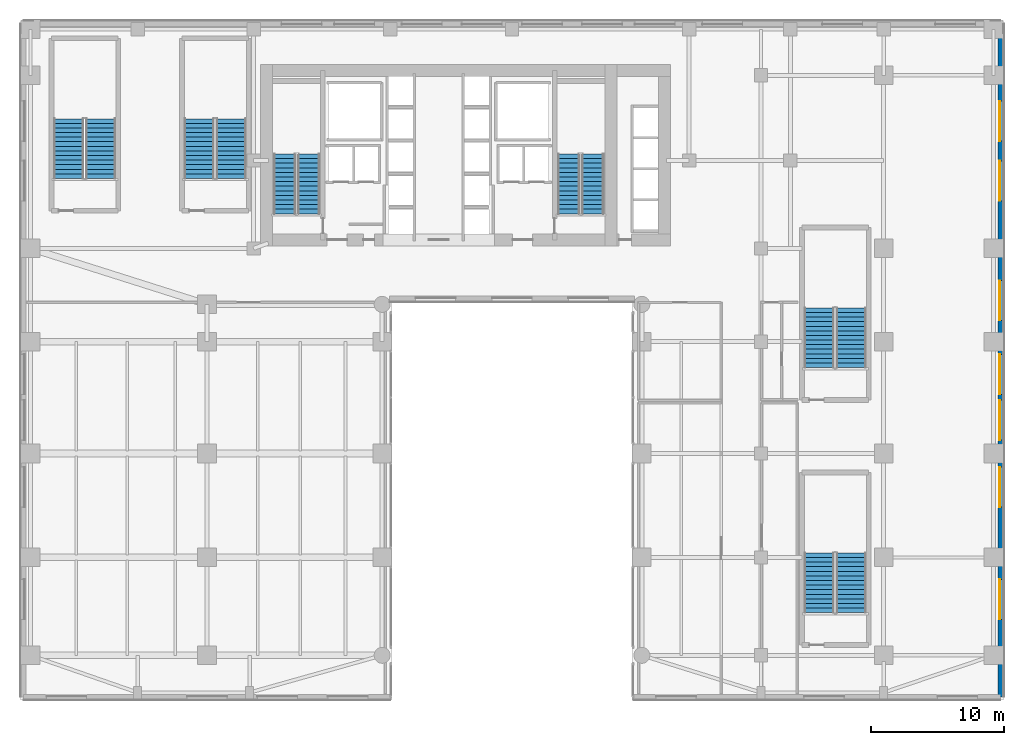
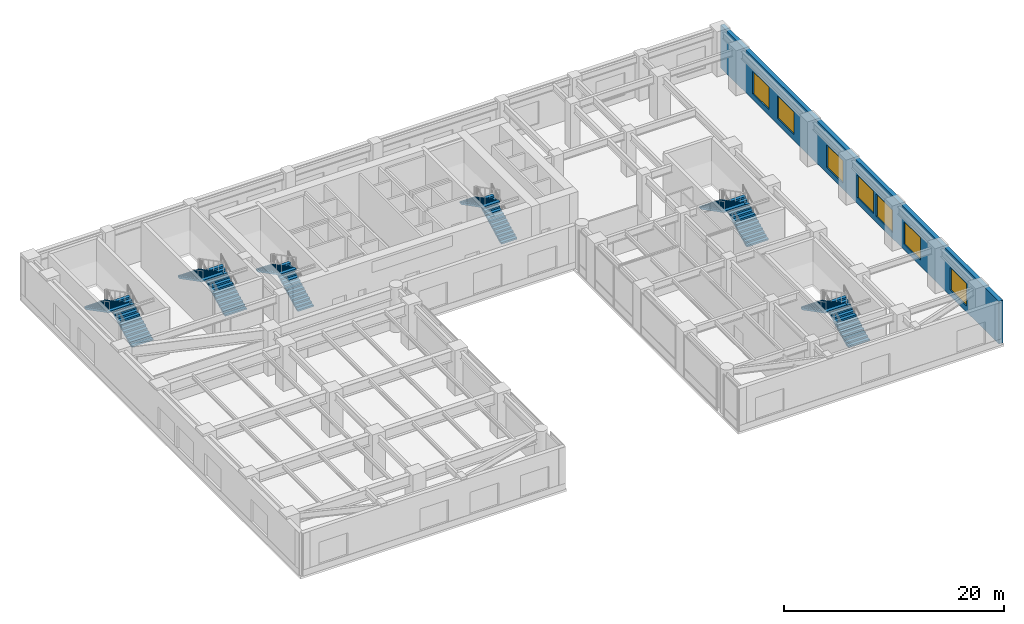
# One storey, part 16 of 24: 12 stair flights, 7 windows, 1 wall, 7 openings, 6 elements without a shape of their own.
"""IFC4 building model written with IfcOpenShell, lengths in metres."""

from ifc_helpers import new_model, si_unit, direction, frame, frame_2d, origin, place, context, subcontext, project, spatial, polyline, rectangle, outline, extrude, source, transform, mapped, material, layer, layer_set, type_object, type_shapes, element, fill, aggregate, save


model = new_model("IFC4")

# Units and contexts
model_context = context("Model", 3, precision=1e-05, world=origin(), true_north=direction((0.0, 1.0)))
body_context = subcontext(model_context, "Body", "Model", "MODEL_VIEW")
ifc_project = project(units=[si_unit("LENGTHUNIT", "METRE"), si_unit("AREAUNIT", "SQUARE_METRE"), si_unit("VOLUMEUNIT", "CUBIC_METRE"), si_unit("PLANEANGLEUNIT", "RADIAN"), si_unit("MASSUNIT", "GRAM", prefix="KILO")], contexts=[model_context])

# Site, building, storey
site_placement = place(None, origin())
site = spatial("IfcSite", under=ifc_project, at=site_placement, CompositionType="ELEMENT")
building_placement = place(site_placement, origin())
building = spatial("IfcBuilding", under=site, at=building_placement, Name="Tolvann Quenvar Hotel", CompositionType="ELEMENT")
storey_placement = place(building_placement, frame((0.0, 0.0, 6.0)))
storey = spatial("IfcBuildingStorey", under=building, at=storey_placement, Name="L01", CompositionType="ELEMENT", Elevation=6.0)

# Wall, openings, windows
ifc_material_1 = material(Name="Kiln-fired red and buff architectural clay brickwork and terracotta masonry", Category="masonry")
ifc_layer = layer(ifc_material_1, 0.419921875)
ifc_layer_set = layer_set([ifc_layer], Name="Kiln-fired red and buff architectural clay brickwork and terracotta masonry")
wall_type = type_object("IfcWallType", Name="WALL_EXT_POD_420", PredefinedType="SOLIDWALL", material=ifc_layer_set)
wall_placement = place(storey_placement, frame((65.18994140625, -2.2900390625, 0.0), z_axis=(0.0, 0.0, 1.0), x_axis=(0.0, 1.0, 0.0)))
wall = element("IfcWall", 1, at=wall_placement, inside=storey, type_object=wall_type, Name="Exterior Chicago Brick Wall L01-E05", PredefinedType="SOLIDWALL", context=body_context, shape_type="SweptSolid", body=[
    extrude(rectangle(XDim=50.580078125, YDim=0.419921875, at=frame_2d((25.2900390625, 0.0))), origin(), (0.0, 0.0, 1.0), 4.739990234375),
])
opening_1_placement = place(wall_placement, frame((5.833984375, 0.0, 0.64990234375)))
opening_1 = element("IfcOpeningElement", 2, at=opening_1_placement, cuts=wall, Name="Opening W-05", PredefinedType="OPENING", context=body_context, shape_type="SweptSolid", body=[
    extrude(rectangle(XDim=3.0, YDim=2.5, at=frame_2d((1.5, 1.25))), frame((0.0, 0.219970703125, 0.0), z_axis=(0.0, -1.0, 0.0), x_axis=(1.0, 0.0, 0.0)), (0.0, 0.0, 1.0), 0.43994140625),
])
opening_2_placement = place(wall_placement, frame((14.261962890625, 0.0, 0.64990234375)))
opening_2 = element("IfcOpeningElement", 3, at=opening_2_placement, cuts=wall, Name="Opening W-05", PredefinedType="OPENING", context=body_context, shape_type="SweptSolid", body=[
    extrude(rectangle(XDim=3.0, YDim=2.5, at=frame_2d((1.5, 1.25))), frame((0.0, 0.219970703125, 0.0), z_axis=(0.0, -1.0, 0.0), x_axis=(1.0, 0.0, 0.0)), (0.0, 0.0, 1.0), 0.43994140625),
])
opening_3_placement = place(wall_placement, frame((19.301025390625, 0.0, 0.64990234375)))
opening_3 = element("IfcOpeningElement", 4, at=opening_3_placement, cuts=wall, Name="Opening W-05", PredefinedType="OPENING", context=body_context, shape_type="SweptSolid", body=[
    extrude(rectangle(XDim=3.0, YDim=2.5, at=frame_2d((1.5, 1.25))), frame((0.0, 0.219970703125, 0.0), z_axis=(0.0, -1.0, 0.0), x_axis=(1.0, 0.0, 0.0)), (0.0, 0.0, 1.0), 0.43994140625),
])
opening_4_placement = place(wall_placement, frame((22.739990234375, 0.0, 0.64990234375)))
opening_4 = element("IfcOpeningElement", 5, at=opening_4_placement, cuts=wall, Name="Opening W-05", PredefinedType="OPENING", context=body_context, shape_type="SweptSolid", body=[
    extrude(rectangle(XDim=3.0, YDim=2.5, at=frame_2d((1.5, 1.25))), frame((0.0, 0.219970703125, 0.0), z_axis=(0.0, -1.0, 0.0), x_axis=(1.0, 0.0, 0.0)), (0.0, 0.0, 1.0), 0.43994140625),
])
opening_5_placement = place(wall_placement, frame((28.279052734375, 0.0, 0.64990234375)))
opening_5 = element("IfcOpeningElement", 6, at=opening_5_placement, cuts=wall, Name="Opening W-05", PredefinedType="OPENING", context=body_context, shape_type="SweptSolid", body=[
    extrude(rectangle(XDim=3.0, YDim=2.5, at=frame_2d((1.5, 1.25))), frame((0.0, 0.219970703125, 0.0), z_axis=(0.0, -1.0, 0.0), x_axis=(1.0, 0.0, 0.0)), (0.0, 0.0, 1.0), 0.43994140625),
])
opening_6_placement = place(wall_placement, frame((37.257080078125, 0.0, 0.64990234375)))
opening_6 = element("IfcOpeningElement", 7, at=opening_6_placement, cuts=wall, Name="Opening W-05", PredefinedType="OPENING", context=body_context, shape_type="SweptSolid", body=[
    extrude(rectangle(XDim=3.0, YDim=2.5, at=frame_2d((1.5, 1.25))), frame((0.0, 0.219970703125, 0.0), z_axis=(0.0, -1.0, 0.0), x_axis=(1.0, 0.0, 0.0)), (0.0, 0.0, 1.0), 0.43994140625),
])
opening_7_placement = place(wall_placement, frame((41.74609375, 0.0, 0.64990234375)))
opening_7 = element("IfcOpeningElement", 8, at=opening_7_placement, cuts=wall, Name="Opening W-05", PredefinedType="OPENING", context=body_context, shape_type="SweptSolid", body=[
    extrude(rectangle(XDim=3.0, YDim=2.5, at=frame_2d((1.5, 1.25))), frame((0.0, 0.219970703125, 0.0), z_axis=(0.0, -1.0, 0.0), x_axis=(1.0, 0.0, 0.0)), (0.0, 0.0, 1.0), 0.43994140625),
])
ifc_material_2 = material(Name="Thermally broken bronze-anodised aluminium frame with double low-E glazing", Category="aluminium")
window_type = type_object("IfcWindowType", Name="WIN_POD_3000x2600", PartitioningType="TRIPLE_PANEL_HORIZONTAL", PredefinedType="WINDOW", material=ifc_material_2)
shared_shape = source(origin(), body_context, "Body", "SweptSolid", [
    extrude(rectangle(XDim=3.0, YDim=2.5, at=frame_2d((1.5, 1.25))), frame((0.0, 0.090087890625, 0.0), z_axis=(0.0, -1.0, 0.0), x_axis=(1.0, 0.0, 0.0)), (0.0, 0.0, 1.0), 0.06005859375),
])
type_shapes(window_type, [shared_shape])
window_1_placement = place(opening_1_placement, origin())
window_1 = element("IfcWindow", 9, at=window_1_placement, inside=storey, type_object=window_type, Name="Chicago Window W-05 (EW-L01-E05-W01)", OverallHeight=2.5, OverallWidth=3.0, PartitioningType="TRIPLE_PANEL_HORIZONTAL", PredefinedType="WINDOW", context=body_context, shape_type="MappedRepresentation", body=[
    mapped(shared_shape, transform((0.0, 0.0, 0.0), x_axis=(1.0, 0.0, 0.0), y_axis=(0.0, 1.0, 0.0), z_axis=(0.0, 0.0, 1.0), scale=1.0)),
])
fill(opening_1, window_1)
window_2_placement = place(opening_2_placement, origin())
window_2 = element("IfcWindow", 10, at=window_2_placement, inside=storey, type_object=window_type, Name="Chicago Window W-05 (EW-L01-E05-W02)", OverallHeight=2.5, OverallWidth=3.0, PartitioningType="TRIPLE_PANEL_HORIZONTAL", PredefinedType="WINDOW", context=body_context, shape_type="MappedRepresentation", body=[
    mapped(shared_shape, transform((0.0, 0.0, 0.0), x_axis=(1.0, 0.0, 0.0), y_axis=(0.0, 1.0, 0.0), z_axis=(0.0, 0.0, 1.0), scale=1.0)),
])
fill(opening_2, window_2)
window_3_placement = place(opening_3_placement, origin())
window_3 = element("IfcWindow", 11, at=window_3_placement, inside=storey, type_object=window_type, Name="Chicago Window W-05 (EW-L01-E05-W03)", OverallHeight=2.5, OverallWidth=3.0, PartitioningType="TRIPLE_PANEL_HORIZONTAL", PredefinedType="WINDOW", context=body_context, shape_type="MappedRepresentation", body=[
    mapped(shared_shape, transform((0.0, 0.0, 0.0), x_axis=(1.0, 0.0, 0.0), y_axis=(0.0, 1.0, 0.0), z_axis=(0.0, 0.0, 1.0), scale=1.0)),
])
fill(opening_3, window_3)
window_4_placement = place(opening_4_placement, origin())
window_4 = element("IfcWindow", 12, at=window_4_placement, inside=storey, type_object=window_type, Name="Chicago Window W-05 (EW-L01-E05-W04)", OverallHeight=2.5, OverallWidth=3.0, PartitioningType="TRIPLE_PANEL_HORIZONTAL", PredefinedType="WINDOW", context=body_context, shape_type="MappedRepresentation", body=[
    mapped(shared_shape, transform((0.0, 0.0, 0.0), x_axis=(1.0, 0.0, 0.0), y_axis=(0.0, 1.0, 0.0), z_axis=(0.0, 0.0, 1.0), scale=1.0)),
])
fill(opening_4, window_4)
window_5_placement = place(opening_5_placement, origin())
window_5 = element("IfcWindow", 13, at=window_5_placement, inside=storey, type_object=window_type, Name="Chicago Window W-05 (EW-L01-E05-W05)", OverallHeight=2.5, OverallWidth=3.0, PartitioningType="TRIPLE_PANEL_HORIZONTAL", PredefinedType="WINDOW", context=body_context, shape_type="MappedRepresentation", body=[
    mapped(shared_shape, transform((0.0, 0.0, 0.0), x_axis=(1.0, 0.0, 0.0), y_axis=(0.0, 1.0, 0.0), z_axis=(0.0, 0.0, 1.0), scale=1.0)),
])
fill(opening_5, window_5)
window_6_placement = place(opening_6_placement, origin())
window_6 = element("IfcWindow", 14, at=window_6_placement, inside=storey, type_object=window_type, Name="Chicago Window W-05 (EW-L01-E05-W06)", OverallHeight=2.5, OverallWidth=3.0, PartitioningType="TRIPLE_PANEL_HORIZONTAL", PredefinedType="WINDOW", context=body_context, shape_type="MappedRepresentation", body=[
    mapped(shared_shape, transform((0.0, 0.0, 0.0), x_axis=(1.0, 0.0, 0.0), y_axis=(0.0, 1.0, 0.0), z_axis=(0.0, 0.0, 1.0), scale=1.0)),
])
fill(opening_6, window_6)
window_7_placement = place(opening_7_placement, origin())
window_7 = element("IfcWindow", 15, at=window_7_placement, inside=storey, type_object=window_type, Name="Chicago Window W-05 (EW-L01-E05-W07)", OverallHeight=2.5, OverallWidth=3.0, PartitioningType="TRIPLE_PANEL_HORIZONTAL", PredefinedType="WINDOW", context=body_context, shape_type="MappedRepresentation", body=[
    mapped(shared_shape, transform((0.0, 0.0, 0.0), x_axis=(1.0, 0.0, 0.0), y_axis=(0.0, 1.0, 0.0), z_axis=(0.0, 0.0, 1.0), scale=1.0)),
])
fill(opening_7, window_7)

# Stair, stair flights
ifc_material_3 = material(Name="Concrete N40 (40 MPa)", Category="concrete")
stair_type = type_object("IfcStairType", Name="STAIR", PredefinedType="HALF_TURN_STAIR", material=ifc_material_3)
stair_1_placement = place(storey_placement, origin())
stair_1 = element("IfcStair", 16, at=stair_1_placement, inside=storey, type_object=stair_type, Name="L01 ST-C1", PredefinedType="HALF_TURN_STAIR")
stair_flight_type = type_object("IfcStairFlightType", Name="STAIR_FLIGHT", PredefinedType="STRAIGHT", material=ifc_material_3)
stair_flight_1_placement = place(storey_placement, frame((13.22509765625, 34.0, 0.0), z_axis=(0.0, 0.0, 1.0), x_axis=(0.0, 1.0, 0.0)))
stair_flight_1 = element("IfcStairFlight", 17, at=stair_flight_1_placement, type_object=stair_flight_type, Name="ST-C1 flight 1", NumberOfRisers=14, NumberOfTreads=13, PredefinedType="STRAIGHT", RiserHeight=0.178571429, TreadLength=0.345, context=body_context, shape_type="SweptSolid", body=[
    extrude(outline(polyline([(0.0, 0.0), (0.0, 0.178466796875), (0.344970703125, 0.178466796875), (0.344970703125, 0.357177734375), (0.68994140625, 0.357177734375), (0.68994140625, 0.53564453125), (1.034912109375, 0.53564453125), (1.034912109375, 0.71435546875), (1.3798828125, 0.71435546875), (1.3798828125, 0.892822265625), (1.72509765625, 0.892822265625), (1.72509765625, 1.071533203125), (2.070068359375, 1.071533203125), (2.070068359375, 1.25), (2.4150390625, 1.25), (2.4150390625, 1.428466796875), (2.760009765625, 1.428466796875), (2.760009765625, 1.607177734375), (3.10498046875, 1.607177734375), (3.10498046875, 1.78564453125), (3.449951171875, 1.78564453125), (3.449951171875, 1.96435546875), (3.794921875, 1.96435546875), (3.794921875, 2.142822265625), (4.139892578125, 2.142822265625), (4.139892578125, 2.321533203125), (4.485107421875, 2.321533203125), (4.485107421875, 2.5), (4.485107421875, 2.152587890625), (0.326171875, 0.0), (0.0, 0.0)])), frame((0.0, 0.824951171875, 0.0), z_axis=(0.0, -1.0, 0.0), x_axis=(1.0, 0.0, 0.0)), (0.0, 0.0, 1.0), 1.64990234375),
])
stair_flight_2_placement = place(storey_placement, frame((11.425048828125, 38.485107421875, 2.5), z_axis=(0.0, 0.0, 1.0), x_axis=(0.0, -1.0, 0.0)))
stair_flight_2 = element("IfcStairFlight", 18, at=stair_flight_2_placement, type_object=stair_flight_type, Name="ST-C1 flight 2", NumberOfRisers=14, NumberOfTreads=13, PredefinedType="STRAIGHT", RiserHeight=0.178571429, TreadLength=0.345, context=body_context, shape_type="SweptSolid", body=[
    extrude(outline(polyline([(0.0, 0.0), (0.0, 0.178466796875), (0.344970703125, 0.178466796875), (0.344970703125, 0.357177734375), (0.68994140625, 0.357177734375), (0.68994140625, 0.53564453125), (1.034912109375, 0.53564453125), (1.034912109375, 0.71435546875), (1.3798828125, 0.71435546875), (1.3798828125, 0.892822265625), (1.72509765625, 0.892822265625), (1.72509765625, 1.071533203125), (2.070068359375, 1.071533203125), (2.070068359375, 1.25), (2.4150390625, 1.25), (2.4150390625, 1.428466796875), (2.760009765625, 1.428466796875), (2.760009765625, 1.607177734375), (3.10498046875, 1.607177734375), (3.10498046875, 1.78564453125), (3.449951171875, 1.78564453125), (3.449951171875, 1.96435546875), (3.794921875, 1.96435546875), (3.794921875, 2.142822265625), (4.139892578125, 2.142822265625), (4.139892578125, 2.321533203125), (4.485107421875, 2.321533203125), (4.485107421875, 2.5), (4.485107421875, 2.152587890625), (0.326171875, 0.0), (0.0, 0.0)])), frame((0.0, 0.824951171875, 0.0), z_axis=(0.0, -1.0, 0.0), x_axis=(1.0, 0.0, 0.0)), (0.0, 0.0, 1.0), 1.64990234375),
])
aggregate(stair_1, [stair_flight_1, stair_flight_2])

stair_2_placement = place(storey_placement, origin())
stair_2 = element("IfcStair", 19, at=stair_2_placement, inside=storey, type_object=stair_type, Name="L01 ST-C2", PredefinedType="HALF_TURN_STAIR")
stair_flight_3_placement = place(storey_placement, frame((34.574951171875, 34.0, 0.0), z_axis=(0.0, 0.0, 1.0), x_axis=(0.0, 1.0, 0.0)))
stair_flight_3 = element("IfcStairFlight", 20, at=stair_flight_3_placement, type_object=stair_flight_type, Name="ST-C2 flight 1", NumberOfRisers=14, NumberOfTreads=13, PredefinedType="STRAIGHT", RiserHeight=0.178571429, TreadLength=0.345, context=body_context, shape_type="SweptSolid", body=[
    extrude(outline(polyline([(0.0, 0.0), (0.0, 0.178466796875), (0.344970703125, 0.178466796875), (0.344970703125, 0.357177734375), (0.68994140625, 0.357177734375), (0.68994140625, 0.53564453125), (1.034912109375, 0.53564453125), (1.034912109375, 0.71435546875), (1.3798828125, 0.71435546875), (1.3798828125, 0.892822265625), (1.72509765625, 0.892822265625), (1.72509765625, 1.071533203125), (2.070068359375, 1.071533203125), (2.070068359375, 1.25), (2.4150390625, 1.25), (2.4150390625, 1.428466796875), (2.760009765625, 1.428466796875), (2.760009765625, 1.607177734375), (3.10498046875, 1.607177734375), (3.10498046875, 1.78564453125), (3.449951171875, 1.78564453125), (3.449951171875, 1.96435546875), (3.794921875, 1.96435546875), (3.794921875, 2.142822265625), (4.139892578125, 2.142822265625), (4.139892578125, 2.321533203125), (4.485107421875, 2.321533203125), (4.485107421875, 2.5), (4.485107421875, 2.152587890625), (0.326171875, 0.0), (0.0, 0.0)])), frame((0.0, 0.824951171875, 0.0), z_axis=(0.0, -1.0, 0.0), x_axis=(1.0, 0.0, 0.0)), (0.0, 0.0, 1.0), 1.64990234375),
])
stair_flight_4_placement = place(storey_placement, frame((32.77490234375, 38.485107421875, 2.5), z_axis=(0.0, 0.0, 1.0), x_axis=(0.0, -1.0, 0.0)))
stair_flight_4 = element("IfcStairFlight", 21, at=stair_flight_4_placement, type_object=stair_flight_type, Name="ST-C2 flight 2", NumberOfRisers=14, NumberOfTreads=13, PredefinedType="STRAIGHT", RiserHeight=0.178571429, TreadLength=0.345, context=body_context, shape_type="SweptSolid", body=[
    extrude(outline(polyline([(0.0, 0.0), (0.0, 0.178466796875), (0.344970703125, 0.178466796875), (0.344970703125, 0.357177734375), (0.68994140625, 0.357177734375), (0.68994140625, 0.53564453125), (1.034912109375, 0.53564453125), (1.034912109375, 0.71435546875), (1.3798828125, 0.71435546875), (1.3798828125, 0.892822265625), (1.72509765625, 0.892822265625), (1.72509765625, 1.071533203125), (2.070068359375, 1.071533203125), (2.070068359375, 1.25), (2.4150390625, 1.25), (2.4150390625, 1.428466796875), (2.760009765625, 1.428466796875), (2.760009765625, 1.607177734375), (3.10498046875, 1.607177734375), (3.10498046875, 1.78564453125), (3.449951171875, 1.78564453125), (3.449951171875, 1.96435546875), (3.794921875, 1.96435546875), (3.794921875, 2.142822265625), (4.139892578125, 2.142822265625), (4.139892578125, 2.321533203125), (4.485107421875, 2.321533203125), (4.485107421875, 2.5), (4.485107421875, 2.152587890625), (0.326171875, 0.0), (0.0, 0.0)])), frame((0.0, 0.824951171875, 0.0), z_axis=(0.0, -1.0, 0.0), x_axis=(1.0, 0.0, 0.0)), (0.0, 0.0, 1.0), 1.64990234375),
])
aggregate(stair_2, [stair_flight_3, stair_flight_4])

stair_3_placement = place(storey_placement, origin())
stair_3 = element("IfcStair", 22, at=stair_3_placement, inside=storey, type_object=stair_type, Name="L01 ST-P1", PredefinedType="HALF_TURN_STAIR")
stair_flight_5_placement = place(storey_placement, frame((-2.375, 36.64990234375, 0.0), z_axis=(0.0, 0.0, 1.0), x_axis=(0.0, 1.0, 0.0)))
stair_flight_5 = element("IfcStairFlight", 23, at=stair_flight_5_placement, type_object=stair_flight_type, Name="ST-P1 flight 1", NumberOfRisers=14, NumberOfTreads=13, PredefinedType="STRAIGHT", RiserHeight=0.178571429, TreadLength=0.345, context=body_context, shape_type="SweptSolid", body=[
    extrude(outline(polyline([(0.0, 0.0), (0.0, 0.178466796875), (0.344970703125, 0.178466796875), (0.344970703125, 0.357177734375), (0.68994140625, 0.357177734375), (0.68994140625, 0.53564453125), (1.034912109375, 0.53564453125), (1.034912109375, 0.71435546875), (1.3798828125, 0.71435546875), (1.3798828125, 0.892822265625), (1.72509765625, 0.892822265625), (1.72509765625, 1.071533203125), (2.070068359375, 1.071533203125), (2.070068359375, 1.25), (2.4150390625, 1.25), (2.4150390625, 1.428466796875), (2.760009765625, 1.428466796875), (2.760009765625, 1.607177734375), (3.10498046875, 1.607177734375), (3.10498046875, 1.78564453125), (3.449951171875, 1.78564453125), (3.449951171875, 1.96435546875), (3.794921875, 1.96435546875), (3.794921875, 2.142822265625), (4.139892578125, 2.142822265625), (4.139892578125, 2.321533203125), (4.485107421875, 2.321533203125), (4.485107421875, 2.5), (4.485107421875, 2.152587890625), (0.326171875, 0.0), (0.0, 0.0)])), frame((0.0, 1.125, 0.0), z_axis=(0.0, -1.0, 0.0), x_axis=(1.0, 0.0, 0.0)), (0.0, 0.0, 1.0), 2.25),
])
stair_flight_6_placement = place(storey_placement, frame((-4.77490234375, 41.135009765625, 2.5), z_axis=(0.0, 0.0, 1.0), x_axis=(0.0, -1.0, 0.0)))
stair_flight_6 = element("IfcStairFlight", 24, at=stair_flight_6_placement, type_object=stair_flight_type, Name="ST-P1 flight 2", NumberOfRisers=14, NumberOfTreads=13, PredefinedType="STRAIGHT", RiserHeight=0.178571429, TreadLength=0.345, context=body_context, shape_type="SweptSolid", body=[
    extrude(outline(polyline([(0.0, 0.0), (0.0, 0.178466796875), (0.344970703125, 0.178466796875), (0.344970703125, 0.357177734375), (0.68994140625, 0.357177734375), (0.68994140625, 0.53564453125), (1.034912109375, 0.53564453125), (1.034912109375, 0.71435546875), (1.3798828125, 0.71435546875), (1.3798828125, 0.892822265625), (1.72509765625, 0.892822265625), (1.72509765625, 1.071533203125), (2.070068359375, 1.071533203125), (2.070068359375, 1.25), (2.4150390625, 1.25), (2.4150390625, 1.428466796875), (2.760009765625, 1.428466796875), (2.760009765625, 1.607177734375), (3.10498046875, 1.607177734375), (3.10498046875, 1.78564453125), (3.449951171875, 1.78564453125), (3.449951171875, 1.96435546875), (3.794921875, 1.96435546875), (3.794921875, 2.142822265625), (4.139892578125, 2.142822265625), (4.139892578125, 2.321533203125), (4.485107421875, 2.321533203125), (4.485107421875, 2.5), (4.485107421875, 2.152587890625), (0.326171875, 0.0), (0.0, 0.0)])), frame((0.0, 1.125, 0.0), z_axis=(0.0, -1.0, 0.0), x_axis=(1.0, 0.0, 0.0)), (0.0, 0.0, 1.0), 2.25),
])
aggregate(stair_3, [stair_flight_5, stair_flight_6])

stair_4_placement = place(storey_placement, origin())
stair_4 = element("IfcStair", 25, at=stair_4_placement, inside=storey, type_object=stair_type, Name="L01 ST-P2", PredefinedType="HALF_TURN_STAIR")
stair_flight_7_placement = place(storey_placement, frame((7.425048828125, 36.64990234375, 0.0), z_axis=(0.0, 0.0, 1.0), x_axis=(0.0, 1.0, 0.0)))
stair_flight_7 = element("IfcStairFlight", 26, at=stair_flight_7_placement, type_object=stair_flight_type, Name="ST-P2 flight 1", NumberOfRisers=14, NumberOfTreads=13, PredefinedType="STRAIGHT", RiserHeight=0.178571429, TreadLength=0.345, context=body_context, shape_type="SweptSolid", body=[
    extrude(outline(polyline([(0.0, 0.0), (0.0, 0.178466796875), (0.344970703125, 0.178466796875), (0.344970703125, 0.357177734375), (0.68994140625, 0.357177734375), (0.68994140625, 0.53564453125), (1.034912109375, 0.53564453125), (1.034912109375, 0.71435546875), (1.3798828125, 0.71435546875), (1.3798828125, 0.892822265625), (1.72509765625, 0.892822265625), (1.72509765625, 1.071533203125), (2.070068359375, 1.071533203125), (2.070068359375, 1.25), (2.4150390625, 1.25), (2.4150390625, 1.428466796875), (2.760009765625, 1.428466796875), (2.760009765625, 1.607177734375), (3.10498046875, 1.607177734375), (3.10498046875, 1.78564453125), (3.449951171875, 1.78564453125), (3.449951171875, 1.96435546875), (3.794921875, 1.96435546875), (3.794921875, 2.142822265625), (4.139892578125, 2.142822265625), (4.139892578125, 2.321533203125), (4.485107421875, 2.321533203125), (4.485107421875, 2.5), (4.485107421875, 2.152587890625), (0.326171875, 0.0), (0.0, 0.0)])), frame((0.0, 1.125, 0.0), z_axis=(0.0, -1.0, 0.0), x_axis=(1.0, 0.0, 0.0)), (0.0, 0.0, 1.0), 2.25),
])
stair_flight_8_placement = place(storey_placement, frame((5.02490234375, 41.135009765625, 2.5), z_axis=(0.0, 0.0, 1.0), x_axis=(0.0, -1.0, 0.0)))
stair_flight_8 = element("IfcStairFlight", 27, at=stair_flight_8_placement, type_object=stair_flight_type, Name="ST-P2 flight 2", NumberOfRisers=14, NumberOfTreads=13, PredefinedType="STRAIGHT", RiserHeight=0.178571429, TreadLength=0.345, context=body_context, shape_type="SweptSolid", body=[
    extrude(outline(polyline([(0.0, 0.0), (0.0, 0.178466796875), (0.344970703125, 0.178466796875), (0.344970703125, 0.357177734375), (0.68994140625, 0.357177734375), (0.68994140625, 0.53564453125), (1.034912109375, 0.53564453125), (1.034912109375, 0.71435546875), (1.3798828125, 0.71435546875), (1.3798828125, 0.892822265625), (1.72509765625, 0.892822265625), (1.72509765625, 1.071533203125), (2.070068359375, 1.071533203125), (2.070068359375, 1.25), (2.4150390625, 1.25), (2.4150390625, 1.428466796875), (2.760009765625, 1.428466796875), (2.760009765625, 1.607177734375), (3.10498046875, 1.607177734375), (3.10498046875, 1.78564453125), (3.449951171875, 1.78564453125), (3.449951171875, 1.96435546875), (3.794921875, 1.96435546875), (3.794921875, 2.142822265625), (4.139892578125, 2.142822265625), (4.139892578125, 2.321533203125), (4.485107421875, 2.321533203125), (4.485107421875, 2.5), (4.485107421875, 2.152587890625), (0.326171875, 0.0), (0.0, 0.0)])), frame((0.0, 1.125, 0.0), z_axis=(0.0, -1.0, 0.0), x_axis=(1.0, 0.0, 0.0)), (0.0, 0.0, 1.0), 2.25),
])
aggregate(stair_4, [stair_flight_7, stair_flight_8])

stair_5_placement = place(storey_placement, origin())
stair_5 = element("IfcStair", 28, at=stair_5_placement, inside=storey, type_object=stair_type, Name="L01 ST-P3", PredefinedType="HALF_TURN_STAIR")
stair_flight_9_placement = place(storey_placement, frame((53.97509765625, 4.050048828125, 0.0), z_axis=(0.0, 0.0, 1.0), x_axis=(0.0, 1.0, 0.0)))
stair_flight_9 = element("IfcStairFlight", 29, at=stair_flight_9_placement, type_object=stair_flight_type, Name="ST-P3 flight 1", NumberOfRisers=14, NumberOfTreads=13, PredefinedType="STRAIGHT", RiserHeight=0.178571429, TreadLength=0.345, context=body_context, shape_type="SweptSolid", body=[
    extrude(outline(polyline([(0.0, 0.0), (0.0, 0.178466796875), (0.344970703125, 0.178466796875), (0.344970703125, 0.357177734375), (0.68994140625, 0.357177734375), (0.68994140625, 0.53564453125), (1.034912109375, 0.53564453125), (1.034912109375, 0.71435546875), (1.3798828125, 0.71435546875), (1.3798828125, 0.892822265625), (1.72509765625, 0.892822265625), (1.72509765625, 1.071533203125), (2.070068359375, 1.071533203125), (2.070068359375, 1.25), (2.4150390625, 1.25), (2.4150390625, 1.428466796875), (2.760009765625, 1.428466796875), (2.760009765625, 1.607177734375), (3.10498046875, 1.607177734375), (3.10498046875, 1.78564453125), (3.449951171875, 1.78564453125), (3.449951171875, 1.96435546875), (3.794921875, 1.96435546875), (3.794921875, 2.142822265625), (4.139892578125, 2.142822265625), (4.139892578125, 2.321533203125), (4.485107421875, 2.321533203125), (4.485107421875, 2.5), (4.485107421875, 2.152587890625), (0.326171875, 0.0), (0.0, 0.0)])), frame((0.0, 1.125, 0.0), z_axis=(0.0, -1.0, 0.0), x_axis=(1.0, 0.0, 0.0)), (0.0, 0.0, 1.0), 2.25),
])
stair_flight_10_placement = place(storey_placement, frame((51.574951171875, 8.534912109375, 2.5), z_axis=(0.0, 0.0, 1.0), x_axis=(0.0, -1.0, 0.0)))
stair_flight_10 = element("IfcStairFlight", 30, at=stair_flight_10_placement, type_object=stair_flight_type, Name="ST-P3 flight 2", NumberOfRisers=14, NumberOfTreads=13, PredefinedType="STRAIGHT", RiserHeight=0.178571429, TreadLength=0.345, context=body_context, shape_type="SweptSolid", body=[
    extrude(outline(polyline([(0.0, 0.0), (0.0, 0.178466796875), (0.344970703125, 0.178466796875), (0.344970703125, 0.357177734375), (0.68994140625, 0.357177734375), (0.68994140625, 0.53564453125), (1.034912109375, 0.53564453125), (1.034912109375, 0.71435546875), (1.3798828125, 0.71435546875), (1.3798828125, 0.892822265625), (1.72509765625, 0.892822265625), (1.72509765625, 1.071533203125), (2.070068359375, 1.071533203125), (2.070068359375, 1.25), (2.4150390625, 1.25), (2.4150390625, 1.428466796875), (2.760009765625, 1.428466796875), (2.760009765625, 1.607177734375), (3.10498046875, 1.607177734375), (3.10498046875, 1.78564453125), (3.449951171875, 1.78564453125), (3.449951171875, 1.96435546875), (3.794921875, 1.96435546875), (3.794921875, 2.142822265625), (4.139892578125, 2.142822265625), (4.139892578125, 2.321533203125), (4.485107421875, 2.321533203125), (4.485107421875, 2.5), (4.485107421875, 2.152587890625), (0.326171875, 0.0), (0.0, 0.0)])), frame((0.0, 1.125, 0.0), z_axis=(0.0, -1.0, 0.0), x_axis=(1.0, 0.0, 0.0)), (0.0, 0.0, 1.0), 2.25),
])
aggregate(stair_5, [stair_flight_9, stair_flight_10])

stair_6_placement = place(storey_placement, origin())
stair_6 = element("IfcStair", 31, at=stair_6_placement, inside=storey, type_object=stair_type, Name="L01 ST-P4", PredefinedType="HALF_TURN_STAIR")
stair_flight_11_placement = place(storey_placement, frame((53.97509765625, 22.449951171875, 0.0), z_axis=(0.0, 0.0, 1.0), x_axis=(0.0, 1.0, 0.0)))
stair_flight_11 = element("IfcStairFlight", 32, at=stair_flight_11_placement, type_object=stair_flight_type, Name="ST-P4 flight 1", NumberOfRisers=14, NumberOfTreads=13, PredefinedType="STRAIGHT", RiserHeight=0.178571429, TreadLength=0.345, context=body_context, shape_type="SweptSolid", body=[
    extrude(outline(polyline([(0.0, 0.0), (0.0, 0.178466796875), (0.344970703125, 0.178466796875), (0.344970703125, 0.357177734375), (0.68994140625, 0.357177734375), (0.68994140625, 0.53564453125), (1.034912109375, 0.53564453125), (1.034912109375, 0.71435546875), (1.3798828125, 0.71435546875), (1.3798828125, 0.892822265625), (1.72509765625, 0.892822265625), (1.72509765625, 1.071533203125), (2.070068359375, 1.071533203125), (2.070068359375, 1.25), (2.4150390625, 1.25), (2.4150390625, 1.428466796875), (2.760009765625, 1.428466796875), (2.760009765625, 1.607177734375), (3.10498046875, 1.607177734375), (3.10498046875, 1.78564453125), (3.449951171875, 1.78564453125), (3.449951171875, 1.96435546875), (3.794921875, 1.96435546875), (3.794921875, 2.142822265625), (4.139892578125, 2.142822265625), (4.139892578125, 2.321533203125), (4.485107421875, 2.321533203125), (4.485107421875, 2.5), (4.485107421875, 2.152587890625), (0.326171875, 0.0), (0.0, 0.0)])), frame((0.0, 1.125, 0.0), z_axis=(0.0, -1.0, 0.0), x_axis=(1.0, 0.0, 0.0)), (0.0, 0.0, 1.0), 2.25),
])
stair_flight_12_placement = place(storey_placement, frame((51.574951171875, 26.93505859375, 2.5), z_axis=(0.0, 0.0, 1.0), x_axis=(0.0, -1.0, 0.0)))
stair_flight_12 = element("IfcStairFlight", 33, at=stair_flight_12_placement, type_object=stair_flight_type, Name="ST-P4 flight 2", NumberOfRisers=14, NumberOfTreads=13, PredefinedType="STRAIGHT", RiserHeight=0.178571429, TreadLength=0.345, context=body_context, shape_type="SweptSolid", body=[
    extrude(outline(polyline([(0.0, 0.0), (0.0, 0.178466796875), (0.344970703125, 0.178466796875), (0.344970703125, 0.357177734375), (0.68994140625, 0.357177734375), (0.68994140625, 0.53564453125), (1.034912109375, 0.53564453125), (1.034912109375, 0.71435546875), (1.3798828125, 0.71435546875), (1.3798828125, 0.892822265625), (1.72509765625, 0.892822265625), (1.72509765625, 1.071533203125), (2.070068359375, 1.071533203125), (2.070068359375, 1.25), (2.4150390625, 1.25), (2.4150390625, 1.428466796875), (2.760009765625, 1.428466796875), (2.760009765625, 1.607177734375), (3.10498046875, 1.607177734375), (3.10498046875, 1.78564453125), (3.449951171875, 1.78564453125), (3.449951171875, 1.96435546875), (3.794921875, 1.96435546875), (3.794921875, 2.142822265625), (4.139892578125, 2.142822265625), (4.139892578125, 2.321533203125), (4.485107421875, 2.321533203125), (4.485107421875, 2.5), (4.485107421875, 2.152587890625), (0.326171875, 0.0), (0.0, 0.0)])), frame((0.0, 1.125, 0.0), z_axis=(0.0, -1.0, 0.0), x_axis=(1.0, 0.0, 0.0)), (0.0, 0.0, 1.0), 2.25),
])
aggregate(stair_6, [stair_flight_11, stair_flight_12])

save(model, "model.ifc")
